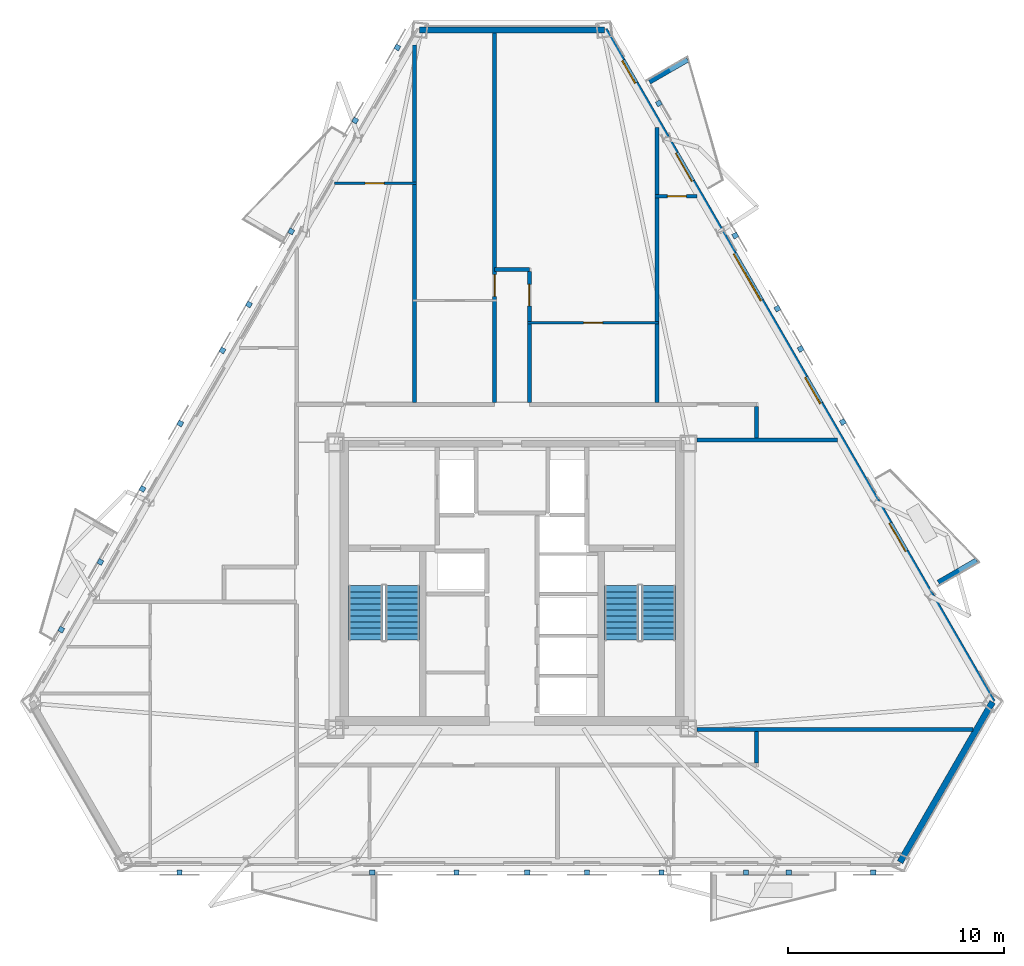
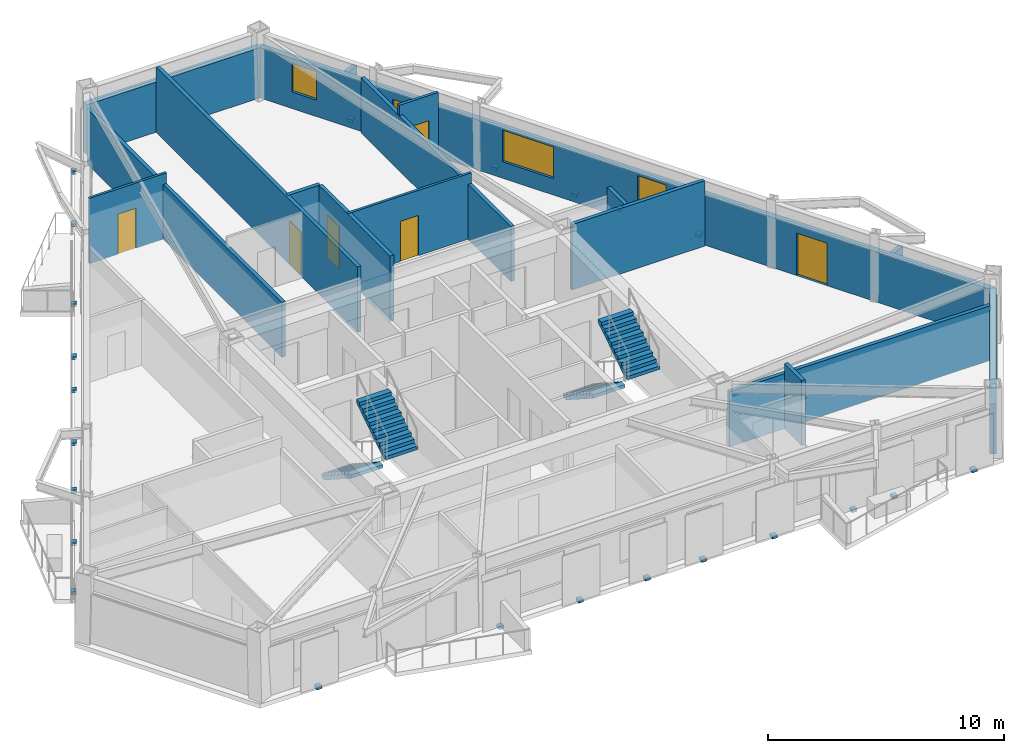
# One storey, part 5 of 8: 23 discrete accessories, 17 walls, 7 doors, 4 stair flights, 3 windows, 10 openings, 2 elements without a shape of their own.
"""IFC4 building model written with IfcOpenShell, lengths in metres."""

from ifc_helpers import new_model, si_unit, direction, frame, frame_2d, origin, origin_2d, place, context, subcontext, project, spatial, polyline, rectangle, outline, extrude, material, layer, layer_set, type_object, element, fill, aggregate, save


model = new_model("IFC4")

# Units and contexts
model_context = context("Model", 3, precision=1e-05, world=origin(), true_north=direction((0.0, 1.0)))
body_context = subcontext(model_context, "Body", "Model", "MODEL_VIEW")
ifc_project = project(units=[si_unit("LENGTHUNIT", "METRE"), si_unit("AREAUNIT", "SQUARE_METRE"), si_unit("VOLUMEUNIT", "CUBIC_METRE"), si_unit("PLANEANGLEUNIT", "RADIAN"), si_unit("MASSUNIT", "GRAM", prefix="KILO")], contexts=[model_context])

# Site, building, storey
site_placement = place(None, origin())
site = spatial("IfcSite", under=ifc_project, at=site_placement, CompositionType="ELEMENT")
building_placement = place(site_placement, origin())
building = spatial("IfcBuilding", under=site, at=building_placement, Name="Oramaril Tower", CompositionType="ELEMENT")
storey_placement = place(building_placement, frame((0.0, 0.0, 171.0)))
storey = spatial("IfcBuildingStorey", under=building, at=storey_placement, Name="L45", CompositionType="ELEMENT", Elevation=171.0)

# Wall
ifc_material_1 = material(Name="Warm Cream Limestone", Category="masonry")
ifc_layer_1 = layer(ifc_material_1, 0.2900390625)
ifc_layer_set_1 = layer_set([ifc_layer_1], Name="WT-EXT29")
wall_type_1 = type_object("IfcWallType", Name="WT-EXT29", PredefinedType="SOLIDWALL", material=ifc_layer_set_1)
wall_1_placement = place(storey_placement, frame((55.43310546875, 4.810546875, 0.0), z_axis=(0.0, 0.0, 1.0), x_axis=(0.499996853316, 0.866027220516, 0.0)))
element("IfcWall", 1, at=wall_1_placement, inside=storey, type_object=wall_type_1, Name="L45 Tower Limestone Facade Wall 3M", PredefinedType="SOLIDWALL", context=body_context, shape_type="SweptSolid", body=[
    extrude(rectangle(XDim=8.548828125, YDim=0.2900390625, at=frame_2d((4.2744140625, 0.0))), origin(), (0.0, 0.0, 1.0), 2.60009765625),
])

# Wall, openings, doors, windows
wall_2_placement = place(storey_placement, frame((59.70751953125, 12.214111328125, 0.0), z_axis=(0.0, 0.0, 1.0), x_axis=(-0.499997229411, 0.866027003379, 0.0)))
wall_2 = element("IfcWall", 2, at=wall_2_placement, inside=storey, type_object=wall_type_1, Name="L45 Tower Limestone Facade Wall 4M", PredefinedType="SOLIDWALL", context=body_context, shape_type="SweptSolid", body=[
    extrude(rectangle(XDim=35.866455078125, YDim=0.2900390625, at=frame_2d((17.93310546875, 0.0))), origin(), (0.0, 0.0, 1.0), 2.60009765625),
])
opening_1_placement = place(wall_2_placement, frame((8.034423828125, 0.0, 0.0)))
opening_1 = element("IfcOpeningElement", 3, at=opening_1_placement, cuts=wall_2, Name="Opening D-L45-BAL-NE1", PredefinedType="OPENING", context=body_context, shape_type="SweptSolid", body=[
    extrude(rectangle(XDim=1.5, YDim=2.199951171875, at=frame_2d((0.75, 1.10009765625))), frame((0.0, 0.14501953125, 0.0), z_axis=(0.0, -1.0, 0.0), x_axis=(1.0, 0.0, 0.0)), (0.0, 0.0, 1.0), 0.2900390625),
])
opening_2_placement = place(wall_2_placement, frame((27.787109375, 0.0, 0.0)))
opening_2 = element("IfcOpeningElement", 4, at=opening_2_placement, cuts=wall_2, Name="Opening D-L45-BAL-NE2", PredefinedType="OPENING", context=body_context, shape_type="SweptSolid", body=[
    extrude(rectangle(XDim=1.5, YDim=2.199951171875, at=frame_2d((0.75, 1.10009765625))), frame((0.0, 0.14501953125, 0.0), z_axis=(0.0, -1.0, 0.0), x_axis=(1.0, 0.0, 0.0)), (0.0, 0.0, 1.0), 0.2900390625),
])
opening_3_placement = place(wall_2_placement, frame((33.022705078125, 0.0, 0.85009765625)))
opening_3 = element("IfcOpeningElement", 5, at=opening_3_placement, cuts=wall_2, Name="Opening WN-09", PredefinedType="OPENING", context=body_context, shape_type="SweptSolid", body=[
    extrude(rectangle(XDim=1.199951171875, YDim=1.47998046875, at=frame_2d((0.60009765625, 0.739990234375))), frame((0.0, 0.14501953125, 0.0), z_axis=(0.0, -1.0, 0.0), x_axis=(1.0, 0.0, 0.0)), (0.0, 0.0, 1.0), 0.2900390625),
])
opening_4_placement = place(wall_2_placement, frame((15.916748046875, 0.0, 0.85009765625)))
opening_4 = element("IfcOpeningElement", 6, at=opening_4_placement, cuts=wall_2, Name="Opening WN-08", PredefinedType="OPENING", context=body_context, shape_type="SweptSolid", body=[
    extrude(rectangle(XDim=1.39990234375, YDim=1.60009765625, at=frame_2d((0.699951171875, 0.800048828125))), frame((0.0, 0.14501953125, 0.0), z_axis=(0.0, -1.0, 0.0), x_axis=(1.0, 0.0, 0.0)), (0.0, 0.0, 1.0), 0.2900390625),
])
opening_5_placement = place(wall_2_placement, frame((21.415771484375, 0.0, 0.85009765625)))
opening_5 = element("IfcOpeningElement", 7, at=opening_5_placement, cuts=wall_2, Name="Opening WN-11", PredefinedType="OPENING", context=body_context, shape_type="SweptSolid", body=[
    extrude(rectangle(XDim=2.5, YDim=1.639892578125, at=frame_2d((1.25, 0.81982421875))), frame((0.0, 0.14501953125, 0.0), z_axis=(0.0, -1.0, 0.0), x_axis=(1.0, 0.0, 0.0)), (0.0, 0.0, 1.0), 0.2900390625),
])
ifc_material_2 = material(Name="Anodised Aluminium 6063-T6", Category="aluminium")
door_type_1 = type_object("IfcDoorType", Name="DT-BAL", OperationType="NOTDEFINED", PredefinedType="DOOR", material=ifc_material_2)
door_1_placement = place(opening_1_placement, origin())
door_1 = element("IfcDoor", 8, at=door_1_placement, inside=storey, type_object=door_type_1, Name="L45 Balcony Glazed Door L45-BAL-NE1", OperationType="SINGLE_SWING_RIGHT", OverallHeight=2.199951171875, OverallWidth=1.5, PredefinedType="DOOR", context=body_context, shape_type="SweptSolid", body=[
    extrude(rectangle(XDim=1.5, YDim=2.199951171875, at=frame_2d((0.75, 1.10009765625))), frame((0.0, 0.02490234375, 0.0), z_axis=(0.0, -1.0, 0.0), x_axis=(1.0, 0.0, 0.0)), (0.0, 0.0, 1.0), 0.050048828125),
])
fill(opening_1, door_1)
door_2_placement = place(opening_2_placement, origin())
door_2 = element("IfcDoor", 9, at=door_2_placement, inside=storey, type_object=door_type_1, Name="L45 Balcony Glazed Door L45-BAL-NE2", OperationType="SINGLE_SWING_LEFT", OverallHeight=2.199951171875, OverallWidth=1.5, PredefinedType="DOOR", context=body_context, shape_type="SweptSolid", body=[
    extrude(rectangle(XDim=1.5, YDim=2.199951171875, at=frame_2d((0.75, 1.10009765625))), frame((0.0, 0.02490234375, 0.0), z_axis=(0.0, -1.0, 0.0), x_axis=(1.0, 0.0, 0.0)), (0.0, 0.0, 1.0), 0.050048828125),
])
fill(opening_2, door_2)
ifc_material_3 = material(Name="Coastal Low-E Insulated Glass", Category="glass")
window_type_1 = type_object("IfcWindowType", Name="WNT-08", PartitioningType="SINGLE_PANEL", PredefinedType="WINDOW", material=ifc_material_3)
window_1_placement = place(opening_4_placement, origin())
window_1 = element("IfcWindow", 10, at=window_1_placement, inside=storey, type_object=window_type_1, Name="L45 Chicago Bay Window WN-08", OverallHeight=1.60009765625, OverallWidth=1.39990234375, PartitioningType="SINGLE_PANEL", PredefinedType="WINDOW", context=body_context, shape_type="SweptSolid", body=[
    extrude(rectangle(XDim=1.39990234375, YDim=1.60009765625, at=frame_2d((0.699951171875, 0.800048828125))), frame((0.0, 0.030029296875, 0.0), z_axis=(0.0, -1.0, 0.0), x_axis=(1.0, 0.0, 0.0)), (0.0, 0.0, 1.0), 0.06005859375),
])
fill(opening_4, window_1)
ifc_material_4 = material(Name="Coastal Low-E Insulated Glass", Category="glass")
window_type_2 = type_object("IfcWindowType", Name="WNT-09", PartitioningType="SINGLE_PANEL", PredefinedType="WINDOW", material=ifc_material_4)
window_2_placement = place(opening_3_placement, origin())
window_2 = element("IfcWindow", 11, at=window_2_placement, inside=storey, type_object=window_type_2, Name="L45 Chicago Bay Window WN-09", OverallHeight=1.47998046875, OverallWidth=1.199951171875, PartitioningType="SINGLE_PANEL", PredefinedType="WINDOW", context=body_context, shape_type="SweptSolid", body=[
    extrude(rectangle(XDim=1.199951171875, YDim=1.47998046875, at=frame_2d((0.60009765625, 0.739990234375))), frame((0.0, 0.030029296875, 0.0), z_axis=(0.0, -1.0, 0.0), x_axis=(1.0, 0.0, 0.0)), (0.0, 0.0, 1.0), 0.06005859375),
])
fill(opening_3, window_2)
ifc_material_5 = material(Name="Coastal Low-E Insulated Glass", Category="glass")
window_type_3 = type_object("IfcWindowType", Name="WNT-11", PartitioningType="SINGLE_PANEL", PredefinedType="WINDOW", material=ifc_material_5)
window_3_placement = place(opening_5_placement, origin())
window_3 = element("IfcWindow", 12, at=window_3_placement, inside=storey, type_object=window_type_3, Name="L45 Chicago Bay Window WN-11", OverallHeight=1.639892578125, OverallWidth=2.5, PartitioningType="SINGLE_PANEL", PredefinedType="WINDOW", context=body_context, shape_type="SweptSolid", body=[
    extrude(rectangle(XDim=2.5, YDim=1.639892578125, at=frame_2d((1.25, 0.81982421875))), frame((0.0, 0.030029296875, 0.0), z_axis=(0.0, -1.0, 0.0), x_axis=(1.0, 0.0, 0.0)), (0.0, 0.0, 1.0), 0.06005859375),
])
fill(opening_5, window_3)

# Walls
wall_3_placement = place(storey_placement, frame((41.7744140625, 43.275390625, 0.0), z_axis=(0.0, 0.0, 1.0), x_axis=(-1.0, 0.0, 0.0)))
element("IfcWall", 13, at=wall_3_placement, inside=storey, type_object=wall_type_1, Name="L45 Tower Limestone Facade Wall 5M", PredefinedType="SOLIDWALL", context=body_context, shape_type="SweptSolid", body=[
    extrude(rectangle(XDim=8.548828125, YDim=0.2900390625, at=frame_2d((4.2744140625, 0.0))), origin(), (0.0, 0.0, 1.0), 2.60009765625),
])
ifc_material_6 = material(Name="Concrete C40/50", Category="concrete")
ifc_layer_2 = layer(ifc_material_6, 0.22998046875)
ifc_layer_set_2 = layer_set([ifc_layer_2], Name="WT-PRP23")
wall_type_2 = type_object("IfcWallType", Name="WT-PRP23", PredefinedType="PARAPET", material=ifc_layer_set_2)
for number, where, z_axis, x_axis, name in (
    (14, (57.205810546875, 17.743408203125, 0.0), (0.0, 0.0, 1.0), (0.866012356593, 0.500022597718, 0.0), "L45 Trapezoidal Balcony Frame Cheek L45-BAL-NE1-L"),
    (15, (43.849609375, 40.877197265625, 0.0), (0.0, 0.0, 1.0), (0.866012356593, 0.500022597718, 0.0), "L45 Trapezoidal Balcony Frame Cheek L45-BAL-NE2-R"),
):
    element("IfcWall", number, at=place(storey_placement, frame(where, z_axis=z_axis, x_axis=x_axis)), inside=storey, type_object=wall_type_2, Name=name, PredefinedType="PARAPET", context=body_context, shape_type="SweptSolid", body=[
        extrude(outline(polyline([(0.0, 0.0), (2.0419921875, 0.0), (2.0419921875, 1.10009765625), (0.0, 1.320068359375), (0.0, 0.0)])), frame((0.0, 0.114990234375, 0.0), z_axis=(0.0, -1.0, 0.0), x_axis=(1.0, 0.0, 0.0)), (0.0, 0.0, 1.0), 0.22998046875),
    ])

# Wall, opening, door
ifc_material_7 = material(Name="Acoustic Gypsum Board Partition")
ifc_layer_3 = layer(ifc_material_7, 0.1201171875)
ifc_layer_set_3 = layer_set([ifc_layer_3], Name="WT-PT12")
wall_type_3 = type_object("IfcWallType", Name="WT-PT12", PredefinedType="PARTITIONING", material=ifc_layer_set_3)
wall_4_placement = place(storey_placement, frame((38.218017578125, 29.739990234375, 0.0), z_axis=(0.0, 0.0, 1.0), x_axis=(1.0, 0.0, 0.0)))
wall_4 = element("IfcWall", 16, at=wall_4_placement, inside=storey, type_object=wall_type_3, Name="L45 Interior Partition PT-12", PredefinedType="PARTITIONING", context=body_context, shape_type="SweptSolid", body=[
    extrude(rectangle(XDim=6.06396484375, YDim=0.1201171875, at=frame_2d((3.031982421875, 0.0))), origin(), (0.0, 0.0, 1.0), 3.3798828125),
])
opening_6_placement = place(wall_4_placement, frame((2.592041015625, 0.0, 0.0)))
opening_6 = element("IfcOpeningElement", 17, at=opening_6_placement, cuts=wall_4, Name="Opening D-L45-06", PredefinedType="OPENING", context=body_context, shape_type="SweptSolid", body=[
    extrude(rectangle(XDim=0.8798828125, YDim=2.080078125, at=frame_2d((0.43994140625, 1.0400390625))), frame((0.0, 0.06005859375, 0.0), z_axis=(0.0, -1.0, 0.0), x_axis=(1.0, 0.0, 0.0)), (0.0, 0.0, 1.0), 0.1201171875),
])
ifc_material_8 = material(Name="FSC Brazilian Freijo Hardwood", Category="wood")
door_type_2 = type_object("IfcDoorType", Name="DT-BATH", OperationType="NOTDEFINED", PredefinedType="DOOR", material=ifc_material_8)
door_3_placement = place(opening_6_placement, origin())
door_3 = element("IfcDoor", 18, at=door_3_placement, inside=storey, type_object=door_type_2, Name="L45 Flat L45-U8 Bathroom Door D-L45-06", OperationType="SINGLE_SWING_LEFT", OverallHeight=2.080078125, OverallWidth=0.8798828125, PredefinedType="DOOR", context=body_context, shape_type="SweptSolid", body=[
    extrude(rectangle(XDim=0.8798828125, YDim=2.080078125, at=frame_2d((0.43994140625, 1.0400390625))), frame((0.0, 0.02490234375, 0.0), z_axis=(0.0, -1.0, 0.0), x_axis=(1.0, 0.0, 0.0)), (0.0, 0.0, 1.0), 0.050048828125),
])
fill(opening_6, door_3)

wall_5_placement = place(storey_placement, frame((29.306884765625, 36.18994140625, 0.0), z_axis=(0.0, 0.0, 1.0), x_axis=(1.0, 0.0, 0.0)))
wall_5 = element("IfcWall", 19, at=wall_5_placement, inside=storey, type_object=wall_type_3, Name="L45 Interior Partition PT-12", PredefinedType="PARTITIONING", context=body_context, shape_type="SweptSolid", body=[
    extrude(rectangle(XDim=3.775146484375, YDim=0.1201171875, at=frame_2d((1.8876953125, 0.0))), origin(), (0.0, 0.0, 1.0), 3.3798828125),
])
opening_7_placement = place(wall_5_placement, frame((1.406982421875, 0.0, 0.0)))
opening_7 = element("IfcOpeningElement", 20, at=opening_7_placement, cuts=wall_5, Name="Opening D-L45-09", PredefinedType="OPENING", context=body_context, shape_type="SweptSolid", body=[
    extrude(rectangle(XDim=0.8798828125, YDim=2.080078125, at=frame_2d((0.43994140625, 1.0400390625))), frame((0.0, 0.06005859375, 0.0), z_axis=(0.0, -1.0, 0.0), x_axis=(1.0, 0.0, 0.0)), (0.0, 0.0, 1.0), 0.1201171875),
])
door_4_placement = place(opening_7_placement, origin())
door_4 = element("IfcDoor", 21, at=door_4_placement, inside=storey, type_object=door_type_2, Name="L45 Flat L45-U6 Bathroom Door D-L45-09", OperationType="SINGLE_SWING_RIGHT", OverallHeight=2.080078125, OverallWidth=0.8798828125, PredefinedType="DOOR", context=body_context, shape_type="SweptSolid", body=[
    extrude(rectangle(XDim=0.8798828125, YDim=2.080078125, at=frame_2d((0.43994140625, 1.0400390625))), frame((0.0, 0.02490234375, 0.0), z_axis=(0.0, -1.0, 0.0), x_axis=(1.0, 0.0, 0.0)), (0.0, 0.0, 1.0), 0.050048828125),
])
fill(opening_7, door_4)

ifc_material_9 = material(Name="Acoustic Gypsum Board Partition")
ifc_layer_4 = layer(ifc_material_9, 0.139892578125)
ifc_layer_set_4 = layer_set([ifc_layer_4], Name="WT-PT14")
wall_type_4 = type_object("IfcWallType", Name="WT-PT14", PredefinedType="PARTITIONING", material=ifc_layer_set_4)
wall_6_placement = place(storey_placement, frame((44.117919921875, 35.590087890625, 0.0), z_axis=(0.0, 0.0, 1.0), x_axis=(1.0, 0.0, 0.0)))
wall_6 = element("IfcWall", 22, at=wall_6_placement, inside=storey, type_object=wall_type_4, Name="L45 Interior Partition PT-14", PredefinedType="PARTITIONING", context=body_context, shape_type="SweptSolid", body=[
    extrude(rectangle(XDim=1.921630859375, YDim=0.139892578125, at=frame_2d((0.9609375, 0.0))), origin(), (0.0, 0.0, 1.0), 3.3798828125),
])
opening_8_placement = place(wall_6_placement, frame((0.560791015625, 0.0, 0.0)))
opening_8 = element("IfcOpeningElement", 23, at=opening_8_placement, cuts=wall_6, Name="Opening D-L45-08", PredefinedType="OPENING", context=body_context, shape_type="SweptSolid", body=[
    extrude(rectangle(XDim=0.8798828125, YDim=2.080078125, at=frame_2d((0.43994140625, 1.0400390625))), frame((0.0, 0.06982421875, 0.0), z_axis=(0.0, -1.0, 0.0), x_axis=(1.0, 0.0, 0.0)), (0.0, 0.0, 1.0), 0.139892578125),
])
door_5_placement = place(opening_8_placement, origin())
door_5 = element("IfcDoor", 24, at=door_5_placement, inside=storey, type_object=door_type_2, Name="L45 Flat L45-U9 Bathroom Door D-L45-08", OperationType="SINGLE_SWING_LEFT", OverallHeight=2.080078125, OverallWidth=0.8798828125, PredefinedType="DOOR", context=body_context, shape_type="SweptSolid", body=[
    extrude(rectangle(XDim=0.8798828125, YDim=2.080078125, at=frame_2d((0.43994140625, 1.0400390625))), frame((0.0, 0.02490234375, 0.0), z_axis=(0.0, -1.0, 0.0), x_axis=(1.0, 0.0, 0.0)), (0.0, 0.0, 1.0), 0.050048828125),
])
fill(opening_8, door_5)

# Walls
ifc_material_10 = material(Name="Autoclaved Cellular Concrete Block", Category="concrete")
ifc_layer_5 = layer(ifc_material_10, 0.179931640625)
ifc_layer_set_5 = layer_set([ifc_layer_5], Name="WT-PT18")
wall_type_5 = type_object("IfcWallType", Name="WT-PT18", PredefinedType="PARTITIONING", material=ifc_layer_set_5)
wall_7_placement = place(storey_placement, frame((46.0400390625, 10.949951171875, 0.0), z_axis=(0.0, 0.0, 1.0), x_axis=(1.0, 0.0, 0.0)))
element("IfcWall", 25, at=wall_7_placement, inside=storey, type_object=wall_type_5, Name="L45 Interior Partition PT-18", PredefinedType="PARTITIONING", context=body_context, shape_type="SweptSolid", body=[
    extrude(rectangle(XDim=12.765625, YDim=0.179931640625, at=frame_2d((6.3828125, 0.0))), origin(), (0.0, 0.0, 1.0), 2.842041015625),
])
wall_8_placement = place(storey_placement, frame((46.0400390625, 24.320068359375, 0.0), z_axis=(0.0, 0.0, 1.0), x_axis=(1.0, 0.0, 0.0)))
element("IfcWall", 26, at=wall_8_placement, inside=storey, type_object=wall_type_5, Name="L45 Interior Partition PT-18", PredefinedType="PARTITIONING", context=body_context, shape_type="SweptSolid", body=[
    extrude(rectangle(XDim=6.506103515625, YDim=0.179931640625, at=frame_2d((3.2529296875, 0.0))), origin(), (0.0, 0.0, 1.0), 3.3798828125),
])
wall_9_placement = place(storey_placement, frame((36.699951171875, 32.199951171875, 0.0), z_axis=(0.0, 0.0, 1.0), x_axis=(1.0, 0.0, 0.0)))
element("IfcWall", 27, at=wall_9_placement, inside=storey, type_object=wall_type_5, Name="L45 Interior Partition PT-18", PredefinedType="PARTITIONING", context=body_context, shape_type="SweptSolid", body=[
    extrude(rectangle(XDim=1.60009765625, YDim=0.179931640625, at=frame_2d((0.800048828125, 0.0))), origin(), (0.0, 0.0, 1.0), 3.3798828125),
])
wall_10_placement = place(storey_placement, frame((33.0, 26.06396484375, 0.0), z_axis=(0.0, 0.0, 1.0), x_axis=(0.0, 1.0, 0.0)))
element("IfcWall", 28, at=wall_10_placement, inside=storey, type_object=wall_type_5, Name="L45 Interior Partition PT-18", PredefinedType="PARTITIONING", context=body_context, shape_type="SweptSolid", body=[
    extrude(rectangle(XDim=16.5224609375, YDim=0.179931640625, at=frame_2d((8.26123046875, 0.0))), origin(), (0.0, 0.0, 1.0), 2.842041015625),
])

# Wall, opening, door
wall_11_placement = place(storey_placement, frame((36.699951171875, 26.06396484375, 0.0), z_axis=(0.0, 0.0, 1.0), x_axis=(0.0, 1.0, 0.0)))
wall_11 = element("IfcWall", 29, at=wall_11_placement, inside=storey, type_object=wall_type_5, Name="L45 Interior Partition PT-18", PredefinedType="PARTITIONING", context=body_context, shape_type="SweptSolid", body=[
    extrude(rectangle(XDim=17.062255859375, YDim=0.179931640625, at=frame_2d((8.53125, 0.0))), origin(), (0.0, 0.0, 1.0), 3.3798828125),
])
opening_9_placement = place(wall_11_placement, frame((4.901611328125, 0.0, 0.0)))
opening_9 = element("IfcOpeningElement", 30, at=opening_9_placement, cuts=wall_11, Name="Opening D-L45-16", PredefinedType="OPENING", context=body_context, shape_type="SweptSolid", body=[
    extrude(rectangle(XDim=1.0, YDim=2.179931640625, at=frame_2d((0.5, 1.08984375))), frame((0.0, 0.08984375, 0.0), z_axis=(0.0, -1.0, 0.0), x_axis=(1.0, 0.0, 0.0)), (0.0, 0.0, 1.0), 0.179931640625),
])
ifc_material_11 = material(Name="FSC Brazilian Freijo Hardwood", Category="wood")
door_type_3 = type_object("IfcDoorType", Name="DT-APT", OperationType="NOTDEFINED", PredefinedType="DOOR", material=ifc_material_11)
door_6_placement = place(opening_9_placement, origin())
door_6 = element("IfcDoor", 31, at=door_6_placement, inside=storey, type_object=door_type_3, Name="L45 Flat L45-U7 Kitchen and Studio Apartment Door D-L45-16", OperationType="SINGLE_SWING_LEFT", OverallHeight=2.179931640625, OverallWidth=1.0, PredefinedType="DOOR", context=body_context, shape_type="SweptSolid", body=[
    extrude(rectangle(XDim=1.0, YDim=2.179931640625, at=frame_2d((0.5, 1.08984375))), frame((0.0, 0.02490234375, 0.0), z_axis=(0.0, -1.0, 0.0), x_axis=(1.0, 0.0, 0.0)), (0.0, 0.0, 1.0), 0.050048828125),
])
fill(opening_9, door_6)

wall_12_placement = place(storey_placement, frame((38.300048828125, 26.06396484375, 0.0), z_axis=(0.0, 0.0, 1.0), x_axis=(0.0, 1.0, 0.0)))
wall_12 = element("IfcWall", 32, at=wall_12_placement, inside=storey, type_object=wall_type_5, Name="L45 Interior Partition PT-18", PredefinedType="PARTITIONING", context=body_context, shape_type="SweptSolid", body=[
    extrude(rectangle(XDim=6.0419921875, YDim=0.179931640625, at=frame_2d((3.02099609375, 0.0))), origin(), (0.0, 0.0, 1.0), 3.3798828125),
])
opening_10_placement = place(wall_12_placement, frame((4.454833984375, 0.0, 0.0)))
opening_10 = element("IfcOpeningElement", 33, at=opening_10_placement, cuts=wall_12, Name="Opening D-L45-17", PredefinedType="OPENING", context=body_context, shape_type="SweptSolid", body=[
    extrude(rectangle(XDim=1.0, YDim=2.179931640625, at=frame_2d((0.5, 1.08984375))), frame((0.0, 0.08984375, 0.0), z_axis=(0.0, -1.0, 0.0), x_axis=(1.0, 0.0, 0.0)), (0.0, 0.0, 1.0), 0.179931640625),
])
door_7_placement = place(opening_10_placement, origin())
door_7 = element("IfcDoor", 34, at=door_7_placement, inside=storey, type_object=door_type_3, Name="L45 Flat L45-U8 Kitchen and Studio Apartment Door D-L45-17", OperationType="SINGLE_SWING_RIGHT", OverallHeight=2.179931640625, OverallWidth=1.0, PredefinedType="DOOR", context=body_context, shape_type="SweptSolid", body=[
    extrude(rectangle(XDim=1.0, YDim=2.179931640625, at=frame_2d((0.5, 1.08984375))), frame((0.0, 0.02490234375, 0.0), z_axis=(0.0, -1.0, 0.0), x_axis=(1.0, 0.0, 0.0)), (0.0, 0.0, 1.0), 0.050048828125),
])
fill(opening_10, door_7)

# Walls
wall_13_placement = place(storey_placement, frame((44.199951171875, 26.06396484375, 0.0), z_axis=(0.0, 0.0, 1.0), x_axis=(0.0, 1.0, 0.0)))
element("IfcWall", 35, at=wall_13_placement, inside=storey, type_object=wall_type_5, Name="L45 Interior Partition PT-18", PredefinedType="PARTITIONING", context=body_context, shape_type="SweptSolid", body=[
    extrude(rectangle(XDim=12.7119140625, YDim=0.179931640625, at=frame_2d((6.35595703125, 0.0))), origin(), (0.0, 0.0, 1.0), 2.842041015625),
])
for number, where, z_axis, x_axis, name in (
    (36, (48.800048828125, 9.39404296875, 0.0), (0.0, 0.0, 1.0), (0.0, 1.0, 0.0), "L45 Interior Partition PT-18"),
    (37, (48.800048828125, 24.4140625, 0.0), (0.0, 0.0, 1.0), (0.0, 1.0, 0.0), "L45 Interior Partition PT-18"),
):
    element("IfcWall", number, at=place(storey_placement, frame(where, z_axis=z_axis, x_axis=x_axis)), inside=storey, type_object=wall_type_5, Name=name, PredefinedType="PARTITIONING", context=body_context, shape_type="SweptSolid", body=[
        extrude(rectangle(XDim=1.4619140625, YDim=0.179931640625, at=frame_2d((0.73095703125, 0.0))), origin(), (0.0, 0.0, 1.0), 3.3798828125),
    ])

# Stair, stair flights
ifc_material_12 = material(Name="Concrete C50/60", Category="concrete")
stair_type = type_object("IfcStairType", Name="STT-DG-3600", PredefinedType="HALF_TURN_STAIR", material=ifc_material_12)
stair_1_placement = place(storey_placement, origin())
stair_1 = element("IfcStair", 38, at=stair_1_placement, inside=storey, type_object=stair_type, Name="L45 Protected PFP Exit Stair ST-1", PredefinedType="HALF_TURN_STAIR")
ifc_material_13 = material(Name="Concrete C50/60", Category="concrete")
stair_flight_type = type_object("IfcStairFlightType", Name="SFT-DG-3600", PredefinedType="STRAIGHT", material=ifc_material_13)
stair_flight_1_placement = place(storey_placement, frame((30.72998046875, 17.590087890625, 0.0), z_axis=(0.0, 0.0, 1.0), x_axis=(0.0, -1.0, 0.0)))
stair_flight_1 = element("IfcStairFlight", 39, at=stair_flight_1_placement, type_object=stair_flight_type, Name="ST-1 flight 1", NumberOfRisers=10, NumberOfTreads=9, PredefinedType="STRAIGHT", RiserHeight=0.18, TreadLength=0.28, context=body_context, shape_type="SweptSolid", body=[
    extrude(outline(polyline([(0.0, 0.0), (0.0, 0.179931640625), (0.280029296875, 0.179931640625), (0.280029296875, 0.360107421875), (0.56005859375, 0.360107421875), (0.56005859375, 0.5400390625), (0.840087890625, 0.5400390625), (0.840087890625, 0.719970703125), (1.1201171875, 0.719970703125), (1.1201171875, 0.89990234375), (1.39990234375, 0.89990234375), (1.39990234375, 1.080078125), (1.679931640625, 1.080078125), (1.679931640625, 1.260009765625), (1.9599609375, 1.260009765625), (1.9599609375, 1.43994140625), (2.239990234375, 1.43994140625), (2.239990234375, 1.6201171875), (2.52001953125, 1.6201171875), (2.52001953125, 1.800048828125), (2.52001953125, 1.44189453125), (0.277099609375, 0.0), (0.0, 0.0)])), frame((0.0, 0.780029296875, 0.0), z_axis=(0.0, -1.0, 0.0), x_axis=(1.0, 0.0, 0.0)), (0.0, 0.0, 1.0), 1.56005859375),
])
stair_flight_2_placement = place(storey_placement, frame((32.43994140625, 15.070068359375, 1.800048828125), z_axis=(0.0, 0.0, 1.0), x_axis=(0.0, 1.0, 0.0)))
stair_flight_2 = element("IfcStairFlight", 40, at=stair_flight_2_placement, type_object=stair_flight_type, Name="ST-1 flight 2", NumberOfRisers=10, NumberOfTreads=9, PredefinedType="STRAIGHT", RiserHeight=0.18, TreadLength=0.28, context=body_context, shape_type="SweptSolid", body=[
    extrude(outline(polyline([(0.0, 0.0), (0.0, 0.179931640625), (0.280029296875, 0.179931640625), (0.280029296875, 0.360107421875), (0.56005859375, 0.360107421875), (0.56005859375, 0.5400390625), (0.840087890625, 0.5400390625), (0.840087890625, 0.719970703125), (1.1201171875, 0.719970703125), (1.1201171875, 0.89990234375), (1.39990234375, 0.89990234375), (1.39990234375, 1.080078125), (1.679931640625, 1.080078125), (1.679931640625, 1.260009765625), (1.9599609375, 1.260009765625), (1.9599609375, 1.43994140625), (2.239990234375, 1.43994140625), (2.239990234375, 1.6201171875), (2.52001953125, 1.6201171875), (2.52001953125, 1.800048828125), (2.52001953125, 1.44189453125), (0.277099609375, 0.0), (0.0, 0.0)])), frame((0.0, 0.780029296875, 0.0), z_axis=(0.0, -1.0, 0.0), x_axis=(1.0, 0.0, 0.0)), (0.0, 0.0, 1.0), 1.56005859375),
])
aggregate(stair_1, [stair_flight_1, stair_flight_2])

stair_2_placement = place(storey_placement, origin())
stair_2 = element("IfcStair", 41, at=stair_2_placement, inside=storey, type_object=stair_type, Name="L45 Protected PFP Exit Stair ST-2", PredefinedType="HALF_TURN_STAIR")
stair_flight_3_placement = place(storey_placement, frame((42.56005859375, 17.590087890625, 0.0), z_axis=(0.0, 0.0, 1.0), x_axis=(0.0, -1.0, 0.0)))
stair_flight_3 = element("IfcStairFlight", 42, at=stair_flight_3_placement, type_object=stair_flight_type, Name="ST-2 flight 1", NumberOfRisers=10, NumberOfTreads=9, PredefinedType="STRAIGHT", RiserHeight=0.18, TreadLength=0.28, context=body_context, shape_type="SweptSolid", body=[
    extrude(outline(polyline([(0.0, 0.0), (0.0, 0.179931640625), (0.280029296875, 0.179931640625), (0.280029296875, 0.360107421875), (0.56005859375, 0.360107421875), (0.56005859375, 0.5400390625), (0.840087890625, 0.5400390625), (0.840087890625, 0.719970703125), (1.1201171875, 0.719970703125), (1.1201171875, 0.89990234375), (1.39990234375, 0.89990234375), (1.39990234375, 1.080078125), (1.679931640625, 1.080078125), (1.679931640625, 1.260009765625), (1.9599609375, 1.260009765625), (1.9599609375, 1.43994140625), (2.239990234375, 1.43994140625), (2.239990234375, 1.6201171875), (2.52001953125, 1.6201171875), (2.52001953125, 1.800048828125), (2.52001953125, 1.44189453125), (0.277099609375, 0.0), (0.0, 0.0)])), frame((0.0, 0.780029296875, 0.0), z_axis=(0.0, -1.0, 0.0), x_axis=(1.0, 0.0, 0.0)), (0.0, 0.0, 1.0), 1.56005859375),
])
stair_flight_4_placement = place(storey_placement, frame((44.27001953125, 15.070068359375, 1.800048828125), z_axis=(0.0, 0.0, 1.0), x_axis=(0.0, 1.0, 0.0)))
stair_flight_4 = element("IfcStairFlight", 43, at=stair_flight_4_placement, type_object=stair_flight_type, Name="ST-2 flight 2", NumberOfRisers=10, NumberOfTreads=9, PredefinedType="STRAIGHT", RiserHeight=0.18, TreadLength=0.28, context=body_context, shape_type="SweptSolid", body=[
    extrude(outline(polyline([(0.0, 0.0), (0.0, 0.179931640625), (0.280029296875, 0.179931640625), (0.280029296875, 0.360107421875), (0.56005859375, 0.360107421875), (0.56005859375, 0.5400390625), (0.840087890625, 0.5400390625), (0.840087890625, 0.719970703125), (1.1201171875, 0.719970703125), (1.1201171875, 0.89990234375), (1.39990234375, 0.89990234375), (1.39990234375, 1.080078125), (1.679931640625, 1.080078125), (1.679931640625, 1.260009765625), (1.9599609375, 1.260009765625), (1.9599609375, 1.43994140625), (2.239990234375, 1.43994140625), (2.239990234375, 1.6201171875), (2.52001953125, 1.6201171875), (2.52001953125, 1.800048828125), (2.52001953125, 1.44189453125), (0.277099609375, 0.0), (0.0, 0.0)])), frame((0.0, 0.780029296875, 0.0), z_axis=(0.0, -1.0, 0.0), x_axis=(1.0, 0.0, 0.0)), (0.0, 0.0, 1.0), 1.56005859375),
])
aggregate(stair_2, [stair_flight_3, stair_flight_4])

# Discrete accessories
for number, where, z_axis, x_axis, name in (
    (44, (31.03955078125, 4.33056640625, -0.14013671875), (0.0, 0.0, 1.0), (1.0, 0.0, 0.0), "L45 Solar Screen Slab Bracket"),
    (45, (34.939453125, 4.33056640625, -0.14013671875), (0.0, 0.0, 1.0), (1.0, 0.0, 0.0), "L45 Solar Screen Slab Bracket"),
    (46, (38.20703125, 4.33056640625, -0.14013671875), (0.0, 0.0, 1.0), (1.0, 0.0, 0.0), "L45 Solar Screen Slab Bracket"),
    (47, (44.414794921875, 4.33056640625, -0.14013671875), (0.0, 0.0, 1.0), (1.0, 0.0, 0.0), "L45 Solar Screen Slab Bracket"),
    (48, (48.314697265625, 4.33056640625, -0.14013671875), (0.0, 0.0, 1.0), (1.0, 0.0, 0.0), "L45 Solar Screen Slab Bracket"),
    (49, (50.293701171875, 4.33056640625, -0.14013671875), (0.0, 0.0, 1.0), (1.0, 0.0, 0.0), "L45 Solar Screen Slab Bracket"),
    (50, (54.193603515625, 4.33056640625, -0.14013671875), (0.0, 0.0, 1.0), (1.0, 0.0, 0.0), "L45 Solar Screen Slab Bracket"),
    (51, (40.96044921875, 4.33056640625, -0.14013671875), (0.0, 0.0, 1.0), (1.0, 0.0, 0.0), "L45 Solar Screen Slab Bracket"),
    (52, (22.13818359375, 4.33056640625, -0.14013671875), (0.0, 0.0, 1.0), (1.0, 0.0, 0.0), "L45 Solar Screen Slab Bracket"),
    (53, (44.287109375, 39.88330078125, -0.14013671875), (0.0, 0.0, 1.0), (-0.5, 0.866025403784, 0.0), "L45 Solar Screen Slab Bracket"),
    (54, (52.789794921875, 25.156005859375, -0.14013671875), (0.0, 0.0, 1.0), (-0.5, 0.866025403784, 0.0), "L45 Solar Screen Slab Bracket"),
    (55, (50.83984375, 28.533447265625, -0.14013671875), (0.0, 0.0, 1.0), (-0.5, 0.866025403784, 0.0), "L45 Solar Screen Slab Bracket"),
    (56, (49.765380859375, 30.39453125, -0.14013671875), (0.0, 0.0, 1.0), (-0.5, 0.866025403784, 0.0), "L45 Solar Screen Slab Bracket"),
    (57, (47.8154296875, 33.77197265625, -0.14013671875), (0.0, 0.0, 1.0), (-0.5, 0.866025403784, 0.0), "L45 Solar Screen Slab Bracket"),
    (58, (16.669921875, 15.56005859375, -0.14013671875), (0.0, 0.0, 1.0), (-0.5, -0.866025403784, 0.0), "L45 Solar Screen Slab Bracket"),
    (59, (24.119873046875, 28.463623046875, -0.14013671875), (0.0, 0.0, 1.0), (-0.5, -0.866025403784, 0.0), "L45 Solar Screen Slab Bracket"),
    (60, (22.169921875, 25.086181640625, -0.14013671875), (0.0, 0.0, 1.0), (-0.5, -0.866025403784, 0.0), "L45 Solar Screen Slab Bracket"),
    (61, (20.42431640625, 22.06298828125, -0.14013671875), (0.0, 0.0, 1.0), (-0.5, -0.866025403784, 0.0), "L45 Solar Screen Slab Bracket"),
    (62, (18.474365234375, 18.685302734375, -0.14013671875), (0.0, 0.0, 1.0), (-0.5, -0.866025403784, 0.0), "L45 Solar Screen Slab Bracket"),
    (63, (27.29541015625, 33.9638671875, -0.14013671875), (0.0, 0.0, 1.0), (-0.5, -0.866025403784, 0.0), "L45 Solar Screen Slab Bracket"),
    (64, (25.345458984375, 30.58642578125, -0.14013671875), (0.0, 0.0, 1.0), (-0.5, -0.866025403784, 0.0), "L45 Solar Screen Slab Bracket"),
    (65, (32.203857421875, 42.4658203125, -0.14013671875), (0.0, 0.0, 1.0), (-0.5, -0.866025403784, 0.0), "L45 Solar Screen Slab Bracket"),
    (66, (30.25390625, 39.088134765625, -0.14013671875), (0.0, 0.0, 1.0), (-0.5, -0.866025403784, 0.0), "L45 Solar Screen Slab Bracket"),
):
    element("IfcDiscreteAccessory", number, at=place(storey_placement, frame(where, z_axis=z_axis, x_axis=x_axis)), inside=storey, Name=name, PredefinedType="BRACKET", context=body_context, shape_type="SweptSolid", body=[
        extrude(rectangle(XDim=0.239990234375, YDim=0.239990234375, at=origin_2d()), origin(), (0.0, 0.0, 1.0), 0.159912109375),
    ])

save(model, "model.ifc")
